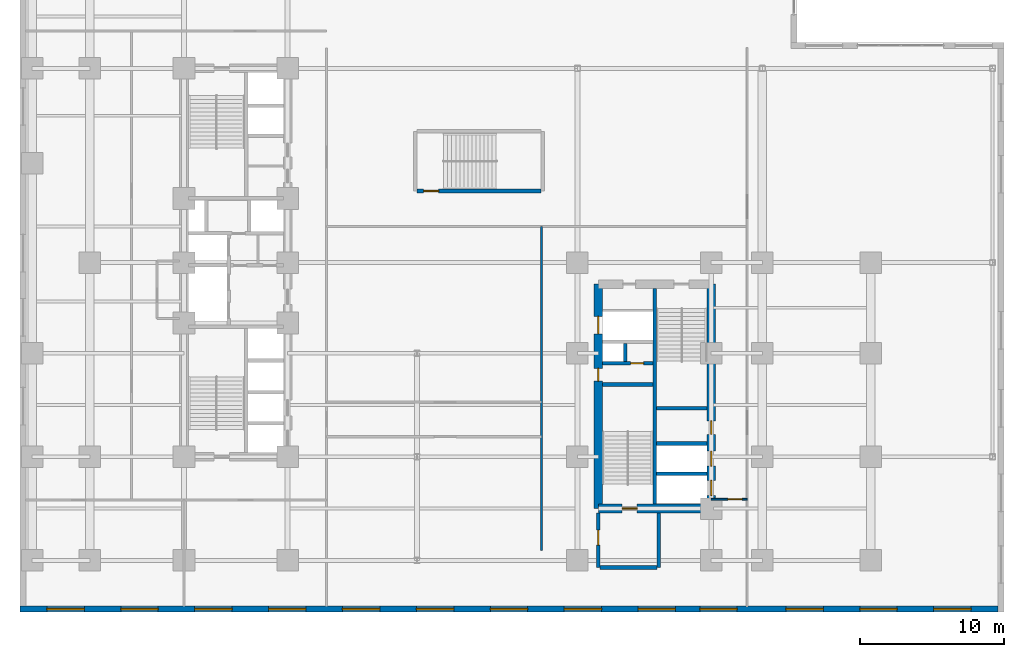
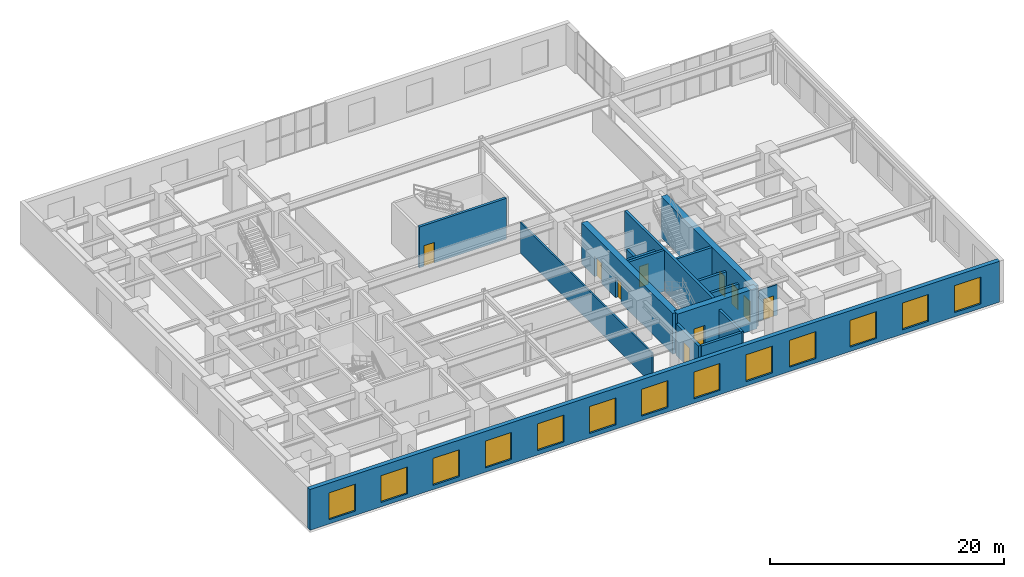
# One storey, part 10 of 15: 17 walls, 13 windows, 10 doors, 23 openings.
"""IFC4 building model written with IfcOpenShell, lengths in metres."""

from ifc_helpers import new_model, entity, si_unit, converted_unit, direction, frame, origin_with_axes, origin_2d_with_axis, place, context, subcontext, project, spatial, polyline, rectangle, outline, extrude, material, layer, layer_set, type_object, element, fill, save


model = new_model("IFC4")

# Units and contexts
model_context = context("Model", 3, precision=1e-05, world=origin_with_axes(), true_north=direction((0.0, 1.0)))
body_context = subcontext(model_context, "Body", "Model", "MODEL_VIEW")
ifc_project = project(units=[si_unit("LENGTHUNIT", "METRE"), si_unit("AREAUNIT", "SQUARE_METRE"), si_unit("VOLUMEUNIT", "CUBIC_METRE"), converted_unit("PLANEANGLEUNIT", "DEGREE", entity("IfcPlaneAngleMeasure", 0.017453292519943295), si_unit("PLANEANGLEUNIT", "RADIAN"), dimensions=[0, 0, 0, 0, 0, 0, 0]), si_unit("MASSUNIT", "GRAM", prefix="KILO"), si_unit("THERMODYNAMICTEMPERATUREUNIT", "KELVIN")], contexts=[model_context])

# Site, building, storey
site_placement = place(None, origin_with_axes())
site = spatial("IfcSite", under=ifc_project, at=site_placement, CompositionType="ELEMENT")
building_placement = place(site_placement, origin_with_axes())
building = spatial("IfcBuilding", under=site, at=building_placement, Name="Varnlund Millrace Tower", CompositionType="ELEMENT")
storey_placement = place(building_placement, frame((0.0, 0.0, 10.8), z_axis=(0.0, 0.0, 1.0), x_axis=(1.0, 0.0, 0.0)))
storey = spatial("IfcBuildingStorey", under=building, at=storey_placement, Name="L02", CompositionType="ELEMENT", Elevation=10.8)

# Wall, openings, doors
ifc_material_1 = material(Name="Concrete C80/95", Category="concrete")
ifc_layer_1 = layer(ifc_material_1, 0.6, Name="Concrete C80/95")
ifc_layer_set_1 = layer_set([ifc_layer_1], Name="Concrete C80/95")
wall_type_1 = type_object("IfcWallType", Name="Type-CoreWall-Shear-600-C80", PredefinedType="SHEAR", material=ifc_layer_set_1)
wall_1_placement = place(storey_placement, frame((40.2, 7.2, 0.0), z_axis=(0.0, 0.0, 1.0), x_axis=(0.0, 1.0, 0.0)))
wall_1 = element("IfcWall", 1, at=wall_1_placement, inside=storey, type_object=wall_type_1, Name="Type-CoreWall-Shear-600-C80", PredefinedType="SHEAR", context=body_context, shape_type="SweptSolid", body=[
    extrude(outline(polyline([(0.0, -0.3), (15.6, -0.3), (15.6, 0.3), (0.0, 0.3), (0.0, -0.3)])), origin_with_axes(), (0.0, 0.0, 1.0), 4.26),
])
opening_1_placement = place(wall_1_placement, frame((12.75, 0.0, 0.0), z_axis=(0.0, 0.0, 1.0), x_axis=(1.0, 0.0, 0.0)))
opening_1 = element("IfcOpeningElement", 2, at=opening_1_placement, cuts=wall_1, Name="Opening L02:LD-SRV2", PredefinedType="OPENING", context=body_context, shape_type="SweptSolid", body=[
    extrude(rectangle(XDim=1.2, YDim=0.62, at=origin_2d_with_axis()), origin_with_axes(), (0.0, 0.0, 1.0), 2.15),
])
opening_2_placement = place(wall_1_placement, frame((9.3, 0.0, 0.0), z_axis=(0.0, 0.0, 1.0), x_axis=(1.0, 0.0, 0.0)))
opening_2 = element("IfcOpeningElement", 3, at=opening_2_placement, cuts=wall_1, Name="Opening L02:DR-CB-JAN", PredefinedType="OPENING", context=body_context, shape_type="SweptSolid", body=[
    extrude(rectangle(XDim=0.9, YDim=0.62, at=origin_2d_with_axis()), origin_with_axes(), (0.0, 0.0, 1.0), 2.15),
])
ifc_material_2 = material(Name="Fire-rated hollow steel service closet door", Category="steel")
door_type_1 = type_object("IfcDoorType", Name="Type-FireDoor-Closet-900X2150", OperationType="NOTDEFINED", PredefinedType="DOOR", material=ifc_material_2)
door_1_placement = place(wall_1_placement, frame((9.3, 0.0, 0.0), z_axis=(0.0, 0.0, 1.0), x_axis=(1.0, 0.0, 0.0)))
door_1 = element("IfcDoor", 4, at=door_1_placement, inside=storey, type_object=door_type_1, Name="Type-FireDoor-Closet-900X2150", OperationType="SINGLE_SWING_RIGHT", OverallHeight=2.15, OverallWidth=0.9, PredefinedType="DOOR", context=body_context, shape_type="SweptSolid", body=[
    extrude(rectangle(XDim=0.9, YDim=0.09, at=origin_2d_with_axis()), origin_with_axes(), (0.0, 0.0, 1.0), 2.15),
])
fill(opening_2, door_1)
ifc_material_3 = material(Name="Heavy-duty freight sliding landing door")
door_type_2 = type_object("IfcDoorType", Name="Type-LiftLandingDoor-Service-1200X2150", OperationType="NOTDEFINED", PredefinedType="DOOR", material=ifc_material_3)
door_2_placement = place(wall_1_placement, frame((12.75, 0.0, 0.0), z_axis=(0.0, 0.0, 1.0), x_axis=(1.0, 0.0, 0.0)))
door_2 = element("IfcDoor", 5, at=door_2_placement, inside=storey, type_object=door_type_2, Name="Type-LiftLandingDoor-Service-1200X2150", OperationType="DOUBLE_DOOR_SLIDING", OverallHeight=2.15, OverallWidth=1.2, PredefinedType="DOOR", context=body_context, shape_type="SweptSolid", body=[
    extrude(rectangle(XDim=1.2, YDim=0.09, at=origin_2d_with_axis()), origin_with_axes(), (0.0, 0.0, 1.0), 2.15),
])
fill(opening_1, door_2)

# Wall, opening, door
wall_2_placement = place(storey_placement, frame((40.2, 7.2, 0.0), z_axis=(0.0, 0.0, 1.0), x_axis=(1.0, 0.0, 0.0)))
wall_2 = element("IfcWall", 6, at=wall_2_placement, inside=storey, type_object=wall_type_1, Name="Type-CoreWall-Shear-600-C80", PredefinedType="SHEAR", context=body_context, shape_type="SweptSolid", body=[
    extrude(outline(polyline([(0.0, -0.3), (7.85, -0.3), (7.85, 0.3), (0.0, 0.3), (0.0, -0.3)])), origin_with_axes(), (0.0, 0.0, 1.0), 4.26),
])
opening_3_placement = place(wall_2_placement, frame((2.175, 0.0, 0.0), z_axis=(0.0, 0.0, 1.0), x_axis=(1.0, 0.0, 0.0)))
opening_3 = element("IfcOpeningElement", 7, at=opening_3_placement, cuts=wall_2, Name="Opening L02:DR-STB1", PredefinedType="OPENING", context=body_context, shape_type="SweptSolid", body=[
    extrude(rectangle(XDim=1.05, YDim=0.62, at=origin_2d_with_axis()), origin_with_axes(), (0.0, 0.0, 1.0), 2.15),
])
ifc_material_4 = material(Name="Fire-rated hollow steel door", Category="steel")
door_type_3 = type_object("IfcDoorType", Name="Type-FireDoor-Stair-1050X2150", OperationType="NOTDEFINED", PredefinedType="DOOR", material=ifc_material_4)
door_3_placement = place(wall_2_placement, frame((2.175, 0.0, 0.0), z_axis=(0.0, 0.0, 1.0), x_axis=(1.0, 0.0, 0.0)))
door_3 = element("IfcDoor", 8, at=door_3_placement, inside=storey, type_object=door_type_3, Name="Type-FireDoor-Stair-1050X2150", OperationType="SINGLE_SWING_LEFT", OverallHeight=2.15, OverallWidth=1.05, PredefinedType="DOOR", context=body_context, shape_type="SweptSolid", body=[
    extrude(rectangle(XDim=1.05, YDim=0.09, at=origin_2d_with_axis()), origin_with_axes(), (0.0, 0.0, 1.0), 2.15),
])
fill(opening_3, door_3)

# Wall, openings, doors
wall_3_placement = place(storey_placement, frame((48.05, 7.2, 0.0), z_axis=(0.0, 0.0, 1.0), x_axis=(0.0, 1.0, 0.0)))
wall_3 = element("IfcWall", 9, at=wall_3_placement, inside=storey, type_object=wall_type_1, Name="Type-CoreWall-Shear-600-C80", PredefinedType="SHEAR", context=body_context, shape_type="SweptSolid", body=[
    extrude(outline(polyline([(0.0, -0.3), (15.6, -0.3), (15.6, 0.3), (0.0, 0.3), (0.0, -0.3)])), origin_with_axes(), (0.0, 0.0, 1.0), 4.26),
])
opening_4_placement = place(wall_3_placement, frame((1.425, 0.0, 0.0), z_axis=(0.0, 0.0, 1.0), x_axis=(1.0, 0.0, 0.0)))
opening_4 = element("IfcOpeningElement", 10, at=opening_4_placement, cuts=wall_3, Name="Opening L02:LD-ELV-L3", PredefinedType="OPENING", context=body_context, shape_type="SweptSolid", body=[
    extrude(rectangle(XDim=1.05, YDim=0.62, at=origin_2d_with_axis()), origin_with_axes(), (0.0, 0.0, 1.0), 2.15),
])
opening_5_placement = place(wall_3_placement, frame((3.475, 0.0, 0.0), z_axis=(0.0, 0.0, 1.0), x_axis=(1.0, 0.0, 0.0)))
opening_5 = element("IfcOpeningElement", 11, at=opening_5_placement, cuts=wall_3, Name="Opening L02:LD-ELV-L4", PredefinedType="OPENING", context=body_context, shape_type="SweptSolid", body=[
    extrude(rectangle(XDim=1.05, YDim=0.62, at=origin_2d_with_axis()), origin_with_axes(), (0.0, 0.0, 1.0), 2.15),
])
opening_6_placement = place(wall_3_placement, frame((5.625, 0.0, 0.0), z_axis=(0.0, 0.0, 1.0), x_axis=(1.0, 0.0, 0.0)))
opening_6 = element("IfcOpeningElement", 12, at=opening_6_placement, cuts=wall_3, Name="Opening L02:DR-CB-WC", PredefinedType="OPENING", context=body_context, shape_type="SweptSolid", body=[
    extrude(rectangle(XDim=0.95, YDim=0.62, at=origin_2d_with_axis()), origin_with_axes(), (0.0, 0.0, 1.0), 2.15),
])
ifc_material_5 = material(Name="Fire-rated hollow steel core service door", Category="steel")
door_type_4 = type_object("IfcDoorType", Name="Type-FireDoor-Service-950X2150", OperationType="NOTDEFINED", PredefinedType="DOOR", material=ifc_material_5)
door_4_placement = place(wall_3_placement, frame((5.625, 0.0, 0.0), z_axis=(0.0, 0.0, 1.0), x_axis=(1.0, 0.0, 0.0)))
door_4 = element("IfcDoor", 13, at=door_4_placement, inside=storey, type_object=door_type_4, Name="Type-FireDoor-Service-950X2150", OperationType="SINGLE_SWING_LEFT", OverallHeight=2.15, OverallWidth=0.95, PredefinedType="DOOR", context=body_context, shape_type="SweptSolid", body=[
    extrude(rectangle(XDim=0.95, YDim=0.09, at=origin_2d_with_axis()), origin_with_axes(), (0.0, 0.0, 1.0), 2.15),
])
fill(opening_6, door_4)
ifc_material_6 = material(Name="Architectural bronze sliding landing door")
door_type_5 = type_object("IfcDoorType", Name="Type-LiftLandingDoor-Compact-1050X2150", OperationType="NOTDEFINED", PredefinedType="DOOR", material=ifc_material_6)
door_5_placement = place(wall_3_placement, frame((1.425, 0.0, 0.0), z_axis=(0.0, 0.0, 1.0), x_axis=(1.0, 0.0, 0.0)))
door_5 = element("IfcDoor", 14, at=door_5_placement, inside=storey, type_object=door_type_5, Name="Type-LiftLandingDoor-Compact-1050X2150", OperationType="SLIDING_TO_LEFT", OverallHeight=2.15, OverallWidth=1.05, PredefinedType="DOOR", context=body_context, shape_type="SweptSolid", body=[
    extrude(rectangle(XDim=1.05, YDim=0.09, at=origin_2d_with_axis()), origin_with_axes(), (0.0, 0.0, 1.0), 2.15),
])
fill(opening_4, door_5)
door_6_placement = place(wall_3_placement, frame((3.475, 0.0, 0.0), z_axis=(0.0, 0.0, 1.0), x_axis=(1.0, 0.0, 0.0)))
door_6 = element("IfcDoor", 15, at=door_6_placement, inside=storey, type_object=door_type_5, Name="Type-LiftLandingDoor-Compact-1050X2150", OperationType="SLIDING_TO_RIGHT", OverallHeight=2.15, OverallWidth=1.05, PredefinedType="DOOR", context=body_context, shape_type="SweptSolid", body=[
    extrude(rectangle(XDim=1.05, YDim=0.09, at=origin_2d_with_axis()), origin_with_axes(), (0.0, 0.0, 1.0), 2.15),
])
fill(opening_5, door_6)

# Wall, openings, windows
ifc_material_7 = material(Name="Precast concrete C50/60", Category="concrete")
ifc_layer_2 = layer(ifc_material_7, 0.42, Name="Precast concrete C50/60")
ifc_layer_set_2 = layer_set([ifc_layer_2], Name="Precast concrete C50/60")
wall_type_2 = type_object("IfcWallType", Name="Type-ExtWall-Precast-Pier-420", PredefinedType="SOLIDWALL", material=ifc_layer_set_2)
wall_4_placement = place(storey_placement, frame((67.98, 0.21, 0.0), z_axis=(0.0, 0.0, 1.0), x_axis=(-1.0, 0.0, 0.0)))
wall_4 = element("IfcWall", 16, at=wall_4_placement, inside=storey, type_object=wall_type_2, Name="Type-ExtWall-Precast-Pier-420", PredefinedType="SOLIDWALL", context=body_context, shape_type="SweptSolid", body=[
    extrude(outline(polyline([(0.0, -0.21), (67.98, -0.21), (67.98, 0.21), (0.0, 0.21), (0.0, -0.21)])), origin_with_axes(), (0.0, 0.0, 1.0), 4.26),
])
opening_7_placement = place(wall_4_placement, frame((3.168, 0.0, 0.45), z_axis=(0.0, 0.0, 1.0), x_axis=(1.0, 0.0, 0.0)))
opening_7 = element("IfcOpeningElement", 17, at=opening_7_placement, cuts=wall_4, Name="Opening L02:WN-01", PredefinedType="OPENING", context=body_context, shape_type="SweptSolid", body=[
    extrude(rectangle(XDim=2.6, YDim=0.44, at=origin_2d_with_axis()), origin_with_axes(), (0.0, 0.0, 1.0), 2.8),
])
opening_8_placement = place(wall_4_placement, frame((8.305, 0.0, 0.45), z_axis=(0.0, 0.0, 1.0), x_axis=(1.0, 0.0, 0.0)))
opening_8 = element("IfcOpeningElement", 18, at=opening_8_placement, cuts=wall_4, Name="Opening L02:WN-02", PredefinedType="OPENING", context=body_context, shape_type="SweptSolid", body=[
    extrude(rectangle(XDim=2.6, YDim=0.44, at=origin_2d_with_axis()), origin_with_axes(), (0.0, 0.0, 1.0), 2.8),
])
opening_9_placement = place(wall_4_placement, frame((13.442, 0.0, 0.45), z_axis=(0.0, 0.0, 1.0), x_axis=(1.0, 0.0, 0.0)))
opening_9 = element("IfcOpeningElement", 19, at=opening_9_placement, cuts=wall_4, Name="Opening L02:WN-03", PredefinedType="OPENING", context=body_context, shape_type="SweptSolid", body=[
    extrude(rectangle(XDim=2.6, YDim=0.44, at=origin_2d_with_axis()), origin_with_axes(), (0.0, 0.0, 1.0), 2.8),
])
opening_10_placement = place(wall_4_placement, frame((19.429, 0.0, 0.45), z_axis=(0.0, 0.0, 1.0), x_axis=(1.0, 0.0, 0.0)))
opening_10 = element("IfcOpeningElement", 20, at=opening_10_placement, cuts=wall_4, Name="Opening L02:WN-04", PredefinedType="OPENING", context=body_context, shape_type="SweptSolid", body=[
    extrude(rectangle(XDim=2.6, YDim=0.44, at=origin_2d_with_axis()), origin_with_axes(), (0.0, 0.0, 1.0), 2.8),
])
opening_11_placement = place(wall_4_placement, frame((23.716, 0.0, 0.45), z_axis=(0.0, 0.0, 1.0), x_axis=(1.0, 0.0, 0.0)))
opening_11 = element("IfcOpeningElement", 21, at=opening_11_placement, cuts=wall_4, Name="Opening L02:WN-05", PredefinedType="OPENING", context=body_context, shape_type="SweptSolid", body=[
    extrude(rectangle(XDim=2.6, YDim=0.44, at=origin_2d_with_axis()), origin_with_axes(), (0.0, 0.0, 1.0), 2.8),
])
opening_12_placement = place(wall_4_placement, frame((28.853, 0.0, 0.45), z_axis=(0.0, 0.0, 1.0), x_axis=(1.0, 0.0, 0.0)))
opening_12 = element("IfcOpeningElement", 22, at=opening_12_placement, cuts=wall_4, Name="Opening L02:WN-06", PredefinedType="OPENING", context=body_context, shape_type="SweptSolid", body=[
    extrude(rectangle(XDim=2.6, YDim=0.44, at=origin_2d_with_axis()), origin_with_axes(), (0.0, 0.0, 1.0), 2.8),
])
opening_13_placement = place(wall_4_placement, frame((33.99, 0.0, 0.45), z_axis=(0.0, 0.0, 1.0), x_axis=(1.0, 0.0, 0.0)))
opening_13 = element("IfcOpeningElement", 23, at=opening_13_placement, cuts=wall_4, Name="Opening L02:WN-07", PredefinedType="OPENING", context=body_context, shape_type="SweptSolid", body=[
    extrude(rectangle(XDim=2.6, YDim=0.44, at=origin_2d_with_axis()), origin_with_axes(), (0.0, 0.0, 1.0), 2.8),
])
opening_14_placement = place(wall_4_placement, frame((39.127, 0.0, 0.45), z_axis=(0.0, 0.0, 1.0), x_axis=(1.0, 0.0, 0.0)))
opening_14 = element("IfcOpeningElement", 24, at=opening_14_placement, cuts=wall_4, Name="Opening L02:WN-08", PredefinedType="OPENING", context=body_context, shape_type="SweptSolid", body=[
    extrude(rectangle(XDim=2.6, YDim=0.44, at=origin_2d_with_axis()), origin_with_axes(), (0.0, 0.0, 1.0), 2.8),
])
opening_15_placement = place(wall_4_placement, frame((44.264, 0.0, 0.45), z_axis=(0.0, 0.0, 1.0), x_axis=(1.0, 0.0, 0.0)))
opening_15 = element("IfcOpeningElement", 25, at=opening_15_placement, cuts=wall_4, Name="Opening L02:WN-09", PredefinedType="OPENING", context=body_context, shape_type="SweptSolid", body=[
    extrude(rectangle(XDim=2.6, YDim=0.44, at=origin_2d_with_axis()), origin_with_axes(), (0.0, 0.0, 1.0), 2.8),
])
opening_16_placement = place(wall_4_placement, frame((49.401, 0.0, 0.45), z_axis=(0.0, 0.0, 1.0), x_axis=(1.0, 0.0, 0.0)))
opening_16 = element("IfcOpeningElement", 26, at=opening_16_placement, cuts=wall_4, Name="Opening L02:WN-10", PredefinedType="OPENING", context=body_context, shape_type="SweptSolid", body=[
    extrude(rectangle(XDim=2.6, YDim=0.44, at=origin_2d_with_axis()), origin_with_axes(), (0.0, 0.0, 1.0), 2.8),
])
opening_17_placement = place(wall_4_placement, frame((54.538, 0.0, 0.45), z_axis=(0.0, 0.0, 1.0), x_axis=(1.0, 0.0, 0.0)))
opening_17 = element("IfcOpeningElement", 27, at=opening_17_placement, cuts=wall_4, Name="Opening L02:WN-11", PredefinedType="OPENING", context=body_context, shape_type="SweptSolid", body=[
    extrude(rectangle(XDim=2.6, YDim=0.44, at=origin_2d_with_axis()), origin_with_axes(), (0.0, 0.0, 1.0), 2.8),
])
opening_18_placement = place(wall_4_placement, frame((59.675, 0.0, 0.45), z_axis=(0.0, 0.0, 1.0), x_axis=(1.0, 0.0, 0.0)))
opening_18 = element("IfcOpeningElement", 28, at=opening_18_placement, cuts=wall_4, Name="Opening L02:WN-12", PredefinedType="OPENING", context=body_context, shape_type="SweptSolid", body=[
    extrude(rectangle(XDim=2.6, YDim=0.44, at=origin_2d_with_axis()), origin_with_axes(), (0.0, 0.0, 1.0), 2.8),
])
opening_19_placement = place(wall_4_placement, frame((64.812, 0.0, 0.45), z_axis=(0.0, 0.0, 1.0), x_axis=(1.0, 0.0, 0.0)))
opening_19 = element("IfcOpeningElement", 29, at=opening_19_placement, cuts=wall_4, Name="Opening L02:WN-13", PredefinedType="OPENING", context=body_context, shape_type="SweptSolid", body=[
    extrude(rectangle(XDim=2.6, YDim=0.44, at=origin_2d_with_axis()), origin_with_axes(), (0.0, 0.0, 1.0), 2.8),
])
ifc_material_8 = material(Name="Argon low-e triple glazing in thermally broken bronze frame", Category="glass")
window_type = type_object("IfcWindowType", Name="Type-Window-Podium-2600X2800", PartitioningType="SINGLE_PANEL", PredefinedType="WINDOW", material=ifc_material_8)
window_1_placement = place(wall_4_placement, frame((3.168, 0.0, 0.45), z_axis=(0.0, 0.0, 1.0), x_axis=(1.0, 0.0, 0.0)))
window_1 = element("IfcWindow", 30, at=window_1_placement, inside=storey, type_object=window_type, Name="Type-Window-Podium-2600X2800", OverallHeight=2.8, OverallWidth=2.6, PredefinedType="WINDOW", context=body_context, shape_type="SweptSolid", body=[
    extrude(rectangle(XDim=2.6, YDim=0.09, at=origin_2d_with_axis()), origin_with_axes(), (0.0, 0.0, 1.0), 2.8),
])
fill(opening_7, window_1)
window_2_placement = place(wall_4_placement, frame((8.305, 0.0, 0.45), z_axis=(0.0, 0.0, 1.0), x_axis=(1.0, 0.0, 0.0)))
window_2 = element("IfcWindow", 31, at=window_2_placement, inside=storey, type_object=window_type, Name="Type-Window-Podium-2600X2800", OverallHeight=2.8, OverallWidth=2.6, PredefinedType="WINDOW", context=body_context, shape_type="SweptSolid", body=[
    extrude(rectangle(XDim=2.6, YDim=0.09, at=origin_2d_with_axis()), origin_with_axes(), (0.0, 0.0, 1.0), 2.8),
])
fill(opening_8, window_2)
window_3_placement = place(wall_4_placement, frame((13.442, 0.0, 0.45), z_axis=(0.0, 0.0, 1.0), x_axis=(1.0, 0.0, 0.0)))
window_3 = element("IfcWindow", 32, at=window_3_placement, inside=storey, type_object=window_type, Name="Type-Window-Podium-2600X2800", OverallHeight=2.8, OverallWidth=2.6, PredefinedType="WINDOW", context=body_context, shape_type="SweptSolid", body=[
    extrude(rectangle(XDim=2.6, YDim=0.09, at=origin_2d_with_axis()), origin_with_axes(), (0.0, 0.0, 1.0), 2.8),
])
fill(opening_9, window_3)
window_4_placement = place(wall_4_placement, frame((19.429, 0.0, 0.45), z_axis=(0.0, 0.0, 1.0), x_axis=(1.0, 0.0, 0.0)))
window_4 = element("IfcWindow", 33, at=window_4_placement, inside=storey, type_object=window_type, Name="Type-Window-Podium-2600X2800", OverallHeight=2.8, OverallWidth=2.6, PredefinedType="WINDOW", context=body_context, shape_type="SweptSolid", body=[
    extrude(rectangle(XDim=2.6, YDim=0.09, at=origin_2d_with_axis()), origin_with_axes(), (0.0, 0.0, 1.0), 2.8),
])
fill(opening_10, window_4)
window_5_placement = place(wall_4_placement, frame((23.716, 0.0, 0.45), z_axis=(0.0, 0.0, 1.0), x_axis=(1.0, 0.0, 0.0)))
window_5 = element("IfcWindow", 34, at=window_5_placement, inside=storey, type_object=window_type, Name="Type-Window-Podium-2600X2800", OverallHeight=2.8, OverallWidth=2.6, PredefinedType="WINDOW", context=body_context, shape_type="SweptSolid", body=[
    extrude(rectangle(XDim=2.6, YDim=0.09, at=origin_2d_with_axis()), origin_with_axes(), (0.0, 0.0, 1.0), 2.8),
])
fill(opening_11, window_5)
window_6_placement = place(wall_4_placement, frame((28.853, 0.0, 0.45), z_axis=(0.0, 0.0, 1.0), x_axis=(1.0, 0.0, 0.0)))
window_6 = element("IfcWindow", 35, at=window_6_placement, inside=storey, type_object=window_type, Name="Type-Window-Podium-2600X2800", OverallHeight=2.8, OverallWidth=2.6, PredefinedType="WINDOW", context=body_context, shape_type="SweptSolid", body=[
    extrude(rectangle(XDim=2.6, YDim=0.09, at=origin_2d_with_axis()), origin_with_axes(), (0.0, 0.0, 1.0), 2.8),
])
fill(opening_12, window_6)
window_7_placement = place(wall_4_placement, frame((33.99, 0.0, 0.45), z_axis=(0.0, 0.0, 1.0), x_axis=(1.0, 0.0, 0.0)))
window_7 = element("IfcWindow", 36, at=window_7_placement, inside=storey, type_object=window_type, Name="Type-Window-Podium-2600X2800", OverallHeight=2.8, OverallWidth=2.6, PredefinedType="WINDOW", context=body_context, shape_type="SweptSolid", body=[
    extrude(rectangle(XDim=2.6, YDim=0.09, at=origin_2d_with_axis()), origin_with_axes(), (0.0, 0.0, 1.0), 2.8),
])
fill(opening_13, window_7)
window_8_placement = place(wall_4_placement, frame((39.127, 0.0, 0.45), z_axis=(0.0, 0.0, 1.0), x_axis=(1.0, 0.0, 0.0)))
window_8 = element("IfcWindow", 37, at=window_8_placement, inside=storey, type_object=window_type, Name="Type-Window-Podium-2600X2800", OverallHeight=2.8, OverallWidth=2.6, PredefinedType="WINDOW", context=body_context, shape_type="SweptSolid", body=[
    extrude(rectangle(XDim=2.6, YDim=0.09, at=origin_2d_with_axis()), origin_with_axes(), (0.0, 0.0, 1.0), 2.8),
])
fill(opening_14, window_8)
window_9_placement = place(wall_4_placement, frame((44.264, 0.0, 0.45), z_axis=(0.0, 0.0, 1.0), x_axis=(1.0, 0.0, 0.0)))
window_9 = element("IfcWindow", 38, at=window_9_placement, inside=storey, type_object=window_type, Name="Type-Window-Podium-2600X2800", OverallHeight=2.8, OverallWidth=2.6, PredefinedType="WINDOW", context=body_context, shape_type="SweptSolid", body=[
    extrude(rectangle(XDim=2.6, YDim=0.09, at=origin_2d_with_axis()), origin_with_axes(), (0.0, 0.0, 1.0), 2.8),
])
fill(opening_15, window_9)
window_10_placement = place(wall_4_placement, frame((49.401, 0.0, 0.45), z_axis=(0.0, 0.0, 1.0), x_axis=(1.0, 0.0, 0.0)))
window_10 = element("IfcWindow", 39, at=window_10_placement, inside=storey, type_object=window_type, Name="Type-Window-Podium-2600X2800", OverallHeight=2.8, OverallWidth=2.6, PredefinedType="WINDOW", context=body_context, shape_type="SweptSolid", body=[
    extrude(rectangle(XDim=2.6, YDim=0.09, at=origin_2d_with_axis()), origin_with_axes(), (0.0, 0.0, 1.0), 2.8),
])
fill(opening_16, window_10)
window_11_placement = place(wall_4_placement, frame((54.538, 0.0, 0.45), z_axis=(0.0, 0.0, 1.0), x_axis=(1.0, 0.0, 0.0)))
window_11 = element("IfcWindow", 40, at=window_11_placement, inside=storey, type_object=window_type, Name="Type-Window-Podium-2600X2800", OverallHeight=2.8, OverallWidth=2.6, PredefinedType="WINDOW", context=body_context, shape_type="SweptSolid", body=[
    extrude(rectangle(XDim=2.6, YDim=0.09, at=origin_2d_with_axis()), origin_with_axes(), (0.0, 0.0, 1.0), 2.8),
])
fill(opening_17, window_11)
window_12_placement = place(wall_4_placement, frame((59.675, 0.0, 0.45), z_axis=(0.0, 0.0, 1.0), x_axis=(1.0, 0.0, 0.0)))
window_12 = element("IfcWindow", 41, at=window_12_placement, inside=storey, type_object=window_type, Name="Type-Window-Podium-2600X2800", OverallHeight=2.8, OverallWidth=2.6, PredefinedType="WINDOW", context=body_context, shape_type="SweptSolid", body=[
    extrude(rectangle(XDim=2.6, YDim=0.09, at=origin_2d_with_axis()), origin_with_axes(), (0.0, 0.0, 1.0), 2.8),
])
fill(opening_18, window_12)
window_13_placement = place(wall_4_placement, frame((64.812, 0.0, 0.45), z_axis=(0.0, 0.0, 1.0), x_axis=(1.0, 0.0, 0.0)))
window_13 = element("IfcWindow", 42, at=window_13_placement, inside=storey, type_object=window_type, Name="Type-Window-Podium-2600X2800", OverallHeight=2.8, OverallWidth=2.6, PredefinedType="WINDOW", context=body_context, shape_type="SweptSolid", body=[
    extrude(rectangle(XDim=2.6, YDim=0.09, at=origin_2d_with_axis()), origin_with_axes(), (0.0, 0.0, 1.0), 2.8),
])
fill(opening_19, window_13)

# Wall
ifc_material_9 = material(Name="Fire-rated gypsum board on cold-formed steel framing", Category="steel")
ifc_layer_3 = layer(ifc_material_9, 0.16, Name="Fire-rated gypsum board on cold-formed steel framing")
ifc_layer_set_3 = layer_set([ifc_layer_3], Name="Fire-rated gypsum board on cold-formed steel framing")
wall_type_3 = type_object("IfcWallType", Name="Type-Partition-Corridor-160", PredefinedType="PARTITIONING", material=ifc_layer_set_3)
wall_5_placement = place(storey_placement, frame((36.25, 4.3, 0.0), z_axis=(0.0, 0.0, 1.0), x_axis=(0.0, 1.0, 0.0)))
element("IfcWall", 43, at=wall_5_placement, inside=storey, type_object=wall_type_3, Name="Type-Partition-Corridor-160", PredefinedType="PARTITIONING", context=body_context, shape_type="SweptSolid", body=[
    extrude(outline(polyline([(0.0, -0.08), (22.5, -0.08), (22.5, 0.08), (0.0, 0.08), (0.0, -0.08)])), origin_with_axes(), (0.0, 0.0, 1.0), 3.2),
])

# Wall, opening, door
ifc_material_10 = material(Name="Gypsum board tenant partition", Category="gypsum")
ifc_layer_4 = layer(ifc_material_10, 0.125, Name="Gypsum board tenant partition")
ifc_layer_set_4 = layer_set([ifc_layer_4], Name="Gypsum board tenant partition")
wall_type_4 = type_object("IfcWallType", Name="Type-Partition-Tenant-125", PredefinedType="PARTITIONING", material=ifc_layer_set_4)
wall_6_placement = place(storey_placement, frame((48.05, 7.85, 0.0), z_axis=(0.0, 0.0, 1.0), x_axis=(1.0, 0.0, 0.0)))
wall_6 = element("IfcWall", 44, at=wall_6_placement, inside=storey, type_object=wall_type_4, Name="Type-Partition-Tenant-125", PredefinedType="PARTITIONING", context=body_context, shape_type="SweptSolid", body=[
    extrude(outline(polyline([(0.0, -0.0625), (2.5, -0.0625), (2.5, 0.0625), (0.0, 0.0625), (0.0, -0.0625)])), origin_with_axes(), (0.0, 0.0, 1.0), 3.2),
])
opening_20_placement = place(wall_6_placement, frame((1.65, 0.0, 0.0), z_axis=(0.0, 0.0, 1.0), x_axis=(1.0, 0.0, 0.0)))
opening_20 = element("IfcOpeningElement", 45, at=opening_20_placement, cuts=wall_6, Name="Opening L02:DR-POD-BSR", PredefinedType="OPENING", context=body_context, shape_type="SweptSolid", body=[
    extrude(rectangle(XDim=1.0, YDim=0.145, at=origin_2d_with_axis()), origin_with_axes(), (0.0, 0.0, 1.0), 2.15),
])
ifc_material_11 = material(Name="Solid-core white oak and bronze frame door")
door_type_6 = type_object("IfcDoorType", Name="Type-IntDoor-Office-1000X2150", OperationType="NOTDEFINED", PredefinedType="DOOR", material=ifc_material_11)
door_7_placement = place(wall_6_placement, frame((1.65, 0.0, 0.0), z_axis=(0.0, 0.0, 1.0), x_axis=(1.0, 0.0, 0.0)))
door_7 = element("IfcDoor", 46, at=door_7_placement, inside=storey, type_object=door_type_6, Name="Type-IntDoor-Office-1000X2150", OperationType="SINGLE_SWING_LEFT", OverallHeight=2.15, OverallWidth=1.0, PredefinedType="DOOR", context=body_context, shape_type="SweptSolid", body=[
    extrude(rectangle(XDim=1.0, YDim=0.075, at=origin_2d_with_axis()), origin_with_axes(), (0.0, 0.0, 1.0), 2.15),
])
fill(opening_20, door_7)

ifc_material_12 = material(Name="Concrete C60/75", Category="concrete")
ifc_layer_5 = layer(ifc_material_12, 0.25, Name="Concrete C60/75")
ifc_layer_set_5 = layer_set([ifc_layer_5], Name="Concrete C60/75")
wall_type_5 = type_object("IfcWallType", Name="Type-ShaftWall-Fire-250", PredefinedType="SOLIDWALL", material=ifc_layer_set_5)
wall_7_placement = place(storey_placement, frame((40.5, 17.3, 0.0), z_axis=(0.0, 0.0, 1.0), x_axis=(1.0, 0.0, 0.0)))
wall_7 = element("IfcWall", 47, at=wall_7_placement, inside=storey, type_object=wall_type_5, Name="Type-ShaftWall-Fire-250", PredefinedType="SOLIDWALL", context=body_context, shape_type="SweptSolid", body=[
    extrude(outline(polyline([(0.0, -0.125), (3.5, -0.125), (3.5, 0.125), (0.0, 0.125), (0.0, -0.125)])), origin_with_axes(), (0.0, 0.0, 1.0), 3.3),
])
opening_21_placement = place(wall_7_placement, frame((2.4, 0.0, 0.0), z_axis=(0.0, 0.0, 1.0), x_axis=(1.0, 0.0, 0.0)))
opening_21 = element("IfcOpeningElement", 48, at=opening_21_placement, cuts=wall_7, Name="Opening L02:DR-CB-ELC", PredefinedType="OPENING", context=body_context, shape_type="SweptSolid", body=[
    extrude(rectangle(XDim=0.9, YDim=0.27, at=origin_2d_with_axis()), origin_with_axes(), (0.0, 0.0, 1.0), 2.15),
])
door_8_placement = place(wall_7_placement, frame((2.4, 0.0, 0.0), z_axis=(0.0, 0.0, 1.0), x_axis=(1.0, 0.0, 0.0)))
door_8 = element("IfcDoor", 49, at=door_8_placement, inside=storey, type_object=door_type_1, Name="Type-FireDoor-Closet-900X2150", OperationType="SINGLE_SWING_LEFT", OverallHeight=2.15, OverallWidth=0.9, PredefinedType="DOOR", context=body_context, shape_type="SweptSolid", body=[
    extrude(rectangle(XDim=0.9, YDim=0.09, at=origin_2d_with_axis()), origin_with_axes(), (0.0, 0.0, 1.0), 2.15),
])
fill(opening_21, door_8)

# Wall
wall_8_placement = place(storey_placement, frame((42.075, 17.43, 0.0), z_axis=(0.0, 0.0, 1.0), x_axis=(0.0, 1.0, 0.0)))
element("IfcWall", 50, at=wall_8_placement, inside=storey, type_object=wall_type_5, Name="Type-ShaftWall-Fire-250", PredefinedType="SOLIDWALL", context=body_context, shape_type="SweptSolid", body=[
    extrude(outline(polyline([(0.0, -0.125), (1.24, -0.125), (1.24, 0.125), (0.0, 0.125), (0.0, -0.125)])), origin_with_axes(), (0.0, 0.0, 1.0), 3.3),
])

# Wall, opening, door
wall_9_placement = place(storey_placement, frame((40.2, 3.1, 0.0), z_axis=(0.0, 0.0, 1.0), x_axis=(0.0, 1.0, 0.0)))
wall_9 = element("IfcWall", 51, at=wall_9_placement, inside=storey, type_object=wall_type_5, Name="Type-ShaftWall-Fire-250", PredefinedType="SOLIDWALL", context=body_context, shape_type="SweptSolid", body=[
    extrude(outline(polyline([(0.0, -0.125), (3.8, -0.125), (3.8, 0.125), (0.0, 0.125), (0.0, -0.125)])), origin_with_axes(), (0.0, 0.0, 1.0), 3.3),
])
opening_22_placement = place(wall_9_placement, frame((2.075, 0.0, 0.0), z_axis=(0.0, 0.0, 1.0), x_axis=(1.0, 0.0, 0.0)))
opening_22 = element("IfcOpeningElement", 52, at=opening_22_placement, cuts=wall_9, Name="Opening L02:DR-FFLOB-B", PredefinedType="OPENING", context=body_context, shape_type="SweptSolid", body=[
    extrude(rectangle(XDim=1.05, YDim=0.27, at=origin_2d_with_axis()), origin_with_axes(), (0.0, 0.0, 1.0), 2.15),
])
ifc_material_13 = material(Name="Smoke-barrier hollow steel fire door", Category="steel")
door_type_7 = type_object("IfcDoorType", Name="Type-FireDoor-Lobby-1050X2150", OperationType="NOTDEFINED", PredefinedType="DOOR", material=ifc_material_13)
door_9_placement = place(wall_9_placement, frame((2.075, 0.0, 0.0), z_axis=(0.0, 0.0, 1.0), x_axis=(1.0, 0.0, 0.0)))
door_9 = element("IfcDoor", 53, at=door_9_placement, inside=storey, type_object=door_type_7, Name="Type-FireDoor-Lobby-1050X2150", OperationType="SINGLE_SWING_LEFT", OverallHeight=2.15, OverallWidth=1.05, PredefinedType="DOOR", context=body_context, shape_type="SweptSolid", body=[
    extrude(rectangle(XDim=1.05, YDim=0.09, at=origin_2d_with_axis()), origin_with_axes(), (0.0, 0.0, 1.0), 2.15),
])
fill(opening_22, door_9)

# Walls
wall_10_placement = place(storey_placement, frame((40.325, 3.1, 0.0), z_axis=(0.0, 0.0, 1.0), x_axis=(1.0, 0.0, 0.0)))
element("IfcWall", 54, at=wall_10_placement, inside=storey, type_object=wall_type_5, Name="Type-ShaftWall-Fire-250", PredefinedType="SOLIDWALL", context=body_context, shape_type="SweptSolid", body=[
    extrude(outline(polyline([(0.0, -0.125), (3.95, -0.125), (3.95, 0.125), (0.0, 0.125), (0.0, -0.125)])), origin_with_axes(), (0.0, 0.0, 1.0), 3.3),
])
wall_11_placement = place(storey_placement, frame((44.4, 3.1, 0.0), z_axis=(0.0, 0.0, 1.0), x_axis=(0.0, 1.0, 0.0)))
element("IfcWall", 55, at=wall_11_placement, inside=storey, type_object=wall_type_5, Name="Type-ShaftWall-Fire-250", PredefinedType="SOLIDWALL", context=body_context, shape_type="SweptSolid", body=[
    extrude(outline(polyline([(0.0, -0.125), (3.8, -0.125), (3.8, 0.125), (0.0, 0.125), (0.0, -0.125)])), origin_with_axes(), (0.0, 0.0, 1.0), 3.3),
])
for number, where, z_axis, x_axis, name in (
    (56, (44.25, 9.62, 0.0), (0.0, 0.0, 1.0), (1.0, 0.0, 0.0), "Type-ShaftWall-Fire-250"),
    (57, (44.25, 11.72, 0.0), (0.0, 0.0, 1.0), (1.0, 0.0, 0.0), "Type-ShaftWall-Fire-250"),
):
    element("IfcWall", number, at=place(storey_placement, frame(where, z_axis=z_axis, x_axis=x_axis)), inside=storey, type_object=wall_type_5, Name=name, PredefinedType="SOLIDWALL", context=body_context, shape_type="SweptSolid", body=[
        extrude(outline(polyline([(0.0, -0.125), (3.5, -0.125), (3.5, 0.125), (0.0, 0.125), (0.0, -0.125)])), origin_with_axes(), (0.0, 0.0, 1.0), 3.2),
    ])
wall_type_6 = type_object("IfcWallType", Name="Type-StairWall-Shear-250", PredefinedType="SHEAR", material=ifc_layer_set_5)
wall_12_placement = place(storey_placement, frame((44.125, 7.5, 0.0), z_axis=(0.0, 0.0, 1.0), x_axis=(0.0, 1.0, 0.0)))
element("IfcWall", 58, at=wall_12_placement, inside=storey, type_object=wall_type_6, Name="Type-StairWall-Shear-250", PredefinedType="SHEAR", context=body_context, shape_type="SweptSolid", body=[
    extrude(outline(polyline([(0.0, -0.125), (15.0, -0.125), (15.0, 0.125), (0.0, 0.125), (0.0, -0.125)])), origin_with_axes(), (0.0, 0.0, 1.0), 4.26),
])
for number, where, z_axis, x_axis, name in (
    (59, (40.5, 15.825, 0.0), (0.0, 0.0, 1.0), (1.0, 0.0, 0.0), "Type-StairWall-Shear-250"),
    (60, (44.25, 14.175, 0.0), (0.0, 0.0, 1.0), (1.0, 0.0, 0.0), "Type-StairWall-Shear-250"),
):
    element("IfcWall", number, at=place(storey_placement, frame(where, z_axis=z_axis, x_axis=x_axis)), inside=storey, type_object=wall_type_6, Name=name, PredefinedType="SHEAR", context=body_context, shape_type="SweptSolid", body=[
        extrude(outline(polyline([(0.0, -0.125), (3.5, -0.125), (3.5, 0.125), (0.0, 0.125), (0.0, -0.125)])), origin_with_axes(), (0.0, 0.0, 1.0), 4.26),
    ])

# Wall, opening, door
wall_13_placement = place(storey_placement, frame((27.6, 29.275, 0.0), z_axis=(0.0, 0.0, 1.0), x_axis=(1.0, 0.0, 0.0)))
wall_13 = element("IfcWall", 61, at=wall_13_placement, inside=storey, type_object=wall_type_6, Name="Type-StairWall-Shear-250", PredefinedType="SHEAR", context=body_context, shape_type="SweptSolid", body=[
    extrude(outline(polyline([(0.0, -0.125), (8.6, -0.125), (8.6, 0.125), (0.0, 0.125), (0.0, -0.125)])), origin_with_axes(), (0.0, 0.0, 1.0), 4.26),
])
opening_23_placement = place(wall_13_placement, frame((0.975, 0.0, 0.0), z_axis=(0.0, 0.0, 1.0), x_axis=(1.0, 0.0, 0.0)))
opening_23 = element("IfcOpeningElement", 62, at=opening_23_placement, cuts=wall_13, Name="Opening L02:DR-STP1", PredefinedType="OPENING", context=body_context, shape_type="SweptSolid", body=[
    extrude(rectangle(XDim=1.05, YDim=0.27, at=origin_2d_with_axis()), origin_with_axes(), (0.0, 0.0, 1.0), 2.15),
])
door_10_placement = place(wall_13_placement, frame((0.975, 0.0, 0.0), z_axis=(0.0, 0.0, 1.0), x_axis=(1.0, 0.0, 0.0)))
door_10 = element("IfcDoor", 63, at=door_10_placement, inside=storey, type_object=door_type_3, Name="Type-FireDoor-Stair-1050X2150", OperationType="SINGLE_SWING_LEFT", OverallHeight=2.15, OverallWidth=1.05, PredefinedType="DOOR", context=body_context, shape_type="SweptSolid", body=[
    extrude(rectangle(XDim=1.05, YDim=0.09, at=origin_2d_with_axis()), origin_with_axes(), (0.0, 0.0, 1.0), 2.15),
])
fill(opening_23, door_10)

save(model, "model.ifc")
